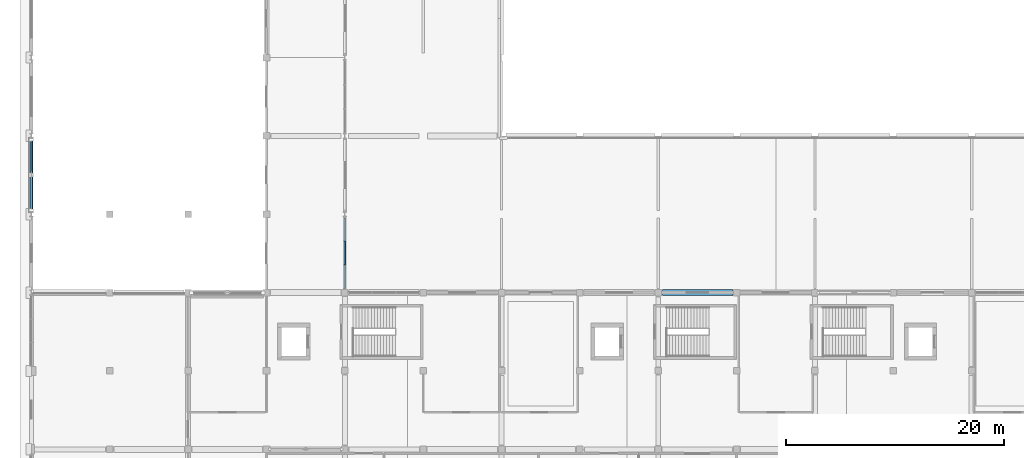
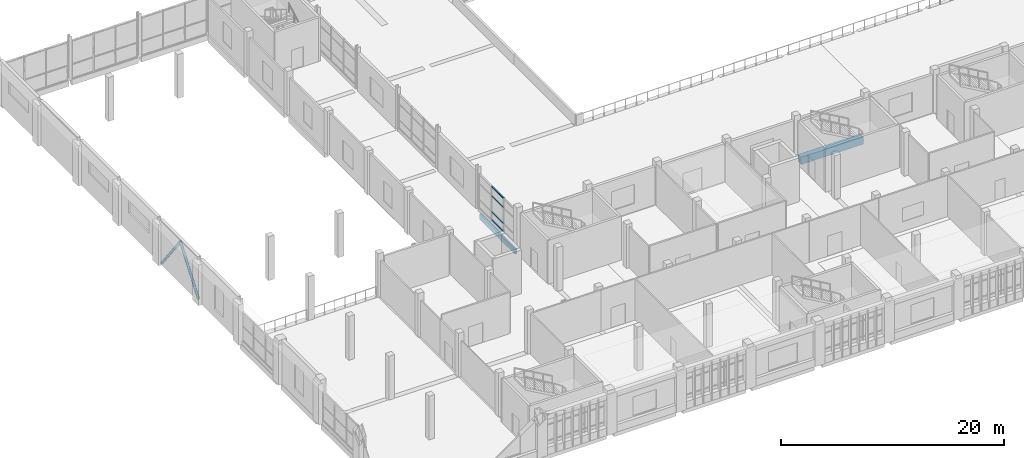
# One storey, part 23 of 82: 6 members, 2 beams, 1 element without a shape of its own.
"""IFC4 building model written with IfcOpenShell, lengths in metres."""

import ifcopenshell
import ifcopenshell.guid

model = None  # the IFC model being written
_history = None  # IfcOwnerHistory: only IFC2X3 demands one
_inside = {}  # id of a spatial element -> (the spatial element, [elements in it])
_under = {}  # id of a project, library or spatial element -> (it, [spatial elements below it])
_declared = {}  # id of a project -> (the project, [libraries it declares])
_typed = {}  # id of a type object -> (the type object, [elements of that type])
_made_of = {}  # id of a material, layer set ... -> (it, [elements and type objects made of it])


def new_model(schema):
    """Start an empty IFC model of exactly this schema.

    Asked for "IFC4X3", IfcOpenShell would pick the latest addendum, in which some entities
    have other attributes; the version numbers below select the first issue.
    IFC2X3 requires an IfcOwnerHistory on every rooted entity: one is made here for all.
    """
    global model, _history
    if schema == "IFC4X3":
        model = ifcopenshell.file(schema_version=(4, 3, 0, 0))
    else:
        model = ifcopenshell.file(schema=schema)
    _inside.clear()
    _under.clear()
    _declared.clear()
    _typed.clear()
    _made_of.clear()
    _history = None
    if model.schema == "IFC2X3":
        org = make("IfcOrganization", Name="unknown")
        user = make(
            "IfcPersonAndOrganization",
            ThePerson=make("IfcPerson", FamilyName="unknown"),
            TheOrganization=org,
        )
        app = make(
            "IfcApplication",
            ApplicationDeveloper=org,
            Version="unknown",
            ApplicationFullName="unknown",
            ApplicationIdentifier="unknown",
        )
        _history = make(
            "IfcOwnerHistory",
            OwningUser=user,
            OwningApplication=app,
            ChangeAction="ADDED",
            CreationDate=0,
        )
    return model


def make(cls, **values):
    """One entity of the class cls with the attributes given. An attribute that is None is left unset."""
    return model.create_entity(
        cls, **{name: value for name, value in values.items() if value is not None}
    )


def rooted(cls, **values):
    """An entity with a GlobalId (a new one), such as an element, a storey or a relation."""
    return make(cls, GlobalId=ifcopenshell.guid.new(), OwnerHistory=_history, **values)


def si_unit(unit_type, name, prefix=None):
    """IfcSIUnit, for example si_unit("LENGTHUNIT", "METRE", prefix="MILLI")."""
    return make("IfcSIUnit", UnitType=unit_type, Prefix=prefix, Name=name)


def assignment(units):
    """IfcUnitAssignment: the units of a project."""
    return None if units is None else make("IfcUnitAssignment", Units=units)


def point(xyz):
    """IfcCartesianPoint."""
    return None if xyz is None else make("IfcCartesianPoint", Coordinates=xyz)


def direction(xyz):
    """IfcDirection."""
    return None if xyz is None else make("IfcDirection", DirectionRatios=xyz)


def frame(location, z_axis=None, x_axis=None):
    """IfcAxis2Placement3D, a coordinate frame: its origin and axes. An axis left out is left unset."""
    return make(
        "IfcAxis2Placement3D",
        Location=point(location),
        Axis=direction(z_axis),
        RefDirection=direction(x_axis),
    )


def frame_2d(location, x_axis=None):
    """IfcAxis2Placement2D, a coordinate frame in the plane: its origin and x axis."""
    return make(
        "IfcAxis2Placement2D", Location=point(location), RefDirection=direction(x_axis)
    )


def origin():
    """The frame at (0, 0, 0) with its axes left unset."""
    return frame((0.0, 0.0, 0.0))


def origin_2d():
    """The frame at (0, 0) in the plane with its x axis left unset."""
    return frame_2d((0.0, 0.0))


def place(relative_to, where):
    """IfcLocalPlacement: puts the frame where relative to a parent placement (None: the world)."""
    return make(
        "IfcLocalPlacement", PlacementRelTo=relative_to, RelativePlacement=where
    )


def context(
    kind, dimensions, precision=None, world=None, true_north=None, identifier=None
):
    """IfcGeometricRepresentationContext, for example the 3D "Model" context."""
    return make(
        "IfcGeometricRepresentationContext",
        ContextIdentifier=identifier,
        ContextType=kind,
        CoordinateSpaceDimension=dimensions,
        Precision=precision,
        WorldCoordinateSystem=world,
        TrueNorth=true_north,
    )


def subcontext(parent, identifier, kind, view, scale=None):
    """IfcGeometricRepresentationSubContext, for example "Body" below "Model"."""
    return make(
        "IfcGeometricRepresentationSubContext",
        ContextIdentifier=identifier,
        ContextType=kind,
        ParentContext=parent,
        TargetScale=scale,
        TargetView=view,
    )


def project(units=None, contexts=None):
    """IfcProject with its units and contexts."""
    return rooted(
        "IfcProject",
        Name="project",
        RepresentationContexts=contexts,
        UnitsInContext=assignment(units),
    )


def spatial(cls, under=None, at=None, **own):
    """A site, building, storey or space (cls), placed at a placement, below another one or the project."""
    s = rooted(cls, ObjectPlacement=at, **own)
    if under is not None:
        _under.setdefault(under.id(), (under, []))[1].append(s)
    return s


def profile(cls, at=None, kind="AREA", **sizes):
    """A parametric profile (cls). Its sizes go by their IFC names, for example OverallWidth=200.0."""
    return make(cls, ProfileType=kind, Position=at, **sizes)


def rectangle(**sizes):
    """IfcRectangleProfileDef."""
    return profile("IfcRectangleProfileDef", **sizes)


def hollow_circle(**sizes):
    """IfcCircleHollowProfileDef."""
    return profile("IfcCircleHollowProfileDef", **sizes)


def extrude(swept, where, along, depth):
    """IfcExtrudedAreaSolid: the profile swept, set in the frame where, extruded along a direction by depth."""
    return make(
        "IfcExtrudedAreaSolid",
        SweptArea=swept,
        Position=where,
        ExtrudedDirection=direction(along),
        Depth=depth,
    )


def shape(context_of_items, identifier, shape_type, items):
    """IfcShapeRepresentation: the items that make up one representation, for example the "Body"."""
    return make(
        "IfcShapeRepresentation",
        ContextOfItems=context_of_items,
        RepresentationIdentifier=identifier,
        RepresentationType=shape_type,
        Items=items,
    )


def material(Name=None, Category=None):
    """IfcMaterial."""
    return make("IfcMaterial", Name=Name, Category=Category)


def material_profile(
    of_material, cross_section, Name=None, Category=None, Priority=None
):
    """IfcMaterialProfile: a cross section and its material."""
    return make(
        "IfcMaterialProfile",
        Name=Name,
        Material=of_material,
        Profile=cross_section,
        Priority=Priority,
        Category=Category,
    )


def profile_set(profiles, Name=None, composite=None):
    """IfcMaterialProfileSet."""
    return make(
        "IfcMaterialProfileSet",
        Name=Name,
        MaterialProfiles=profiles,
        CompositeProfile=composite,
    )


def made_of(thing, what):
    """Note that an element or type object is made of a material, layer set ...; save() writes the relation."""
    if what is not None:
        _made_of.setdefault(what.id(), (what, []))[1].append(thing)
    return thing


def type_object(cls, material=None, **own):
    """A type object (cls), such as IfcWallType, which elements share."""
    return made_of(rooted(cls, **own), material)


def element(
    cls,
    number,
    at=None,
    inside=None,
    cuts=None,
    type_object=None,
    material=None,
    context=None,
    identifier="Body",
    shape_type=None,
    held_by="IfcProductDefinitionShape",
    body=None,
    shapes=None,
    **own,
):
    """One element of the class cls, such as IfcWall. Its Tag is "e" and its number.

    at: its placement. inside: the storey or other place that contains it. cuts: it is an
    opening in that element (IfcRelVoidsElement). A single representation is given by context,
    identifier, shape_type and body (its items); several are given by shapes. held_by: the class
    of the entity that holds the representations. save() writes the other relations.
    """
    e = rooted(cls, Tag="e%d" % number, ObjectPlacement=at, **own)
    if body is not None:
        shapes = [shape(context, identifier, shape_type, body)]
    if shapes is not None:
        e.Representation = make(held_by, Representations=shapes)
    if inside is not None:
        _inside.setdefault(inside.id(), (inside, []))[1].append(e)
    if cuts is not None:
        rooted(
            "IfcRelVoidsElement", RelatingBuildingElement=cuts, RelatedOpeningElement=e
        )
    if type_object is not None:
        _typed.setdefault(type_object.id(), (type_object, []))[1].append(e)
    return made_of(e, material)


def aggregate(whole, parts):
    """IfcRelAggregates: a whole, such as a stair, and the parts it consists of."""
    return rooted("IfcRelAggregates", RelatingObject=whole, RelatedObjects=parts)


def save(model, path):
    """Write the relations noted so far, then the file.

    IfcRelAggregates (storeys below a building ...), IfcRelContainedInSpatialStructure (elements
    in a storey), IfcRelDefinesByType, IfcRelAssociatesMaterial and IfcRelDeclares: one each for
    every whole, place, type object, material and project.
    """
    for whole, parts in _under.values():
        aggregate(whole, parts)
    for where, things in _inside.values():
        rooted(
            "IfcRelContainedInSpatialStructure",
            RelatedElements=things,
            RelatingStructure=where,
        )
    for kind, things in _typed.values():
        rooted("IfcRelDefinesByType", RelatedObjects=things, RelatingType=kind)
    for what, things in _made_of.values():
        rooted("IfcRelAssociatesMaterial", RelatedObjects=things, RelatingMaterial=what)
    for by, libraries in _declared.values():
        rooted("IfcRelDeclares", RelatingContext=by, RelatedDefinitions=libraries)
    model.write(path)


model = new_model("IFC4")

# Units and contexts
model_context = context("Model", 3, precision=1e-05, world=origin(), true_north=direction((0.0, 1.0)))
body_context = subcontext(model_context, "Body", "Model", "MODEL_VIEW")
ifc_project = project(units=[si_unit("LENGTHUNIT", "METRE"), si_unit("AREAUNIT", "SQUARE_METRE"), si_unit("VOLUMEUNIT", "CUBIC_METRE"), si_unit("PLANEANGLEUNIT", "RADIAN"), si_unit("MASSUNIT", "GRAM", prefix="KILO")], contexts=[model_context])

# Site, building, storey
site_placement = place(None, origin())
site = spatial("IfcSite", under=ifc_project, at=site_placement, CompositionType="ELEMENT")
building_placement = place(site_placement, origin())
building = spatial("IfcBuilding", under=site, at=building_placement, Name="Sardonyx Promenade Sports Hall", CompositionType="ELEMENT")
storey_placement = place(building_placement, frame((0.0, 0.0, 11.199951171875)))
storey = spatial("IfcBuildingStorey", under=building, at=storey_placement, Name="L02", CompositionType="ELEMENT", Elevation=11.199951171875)

# Beams
ifc_material_1 = material(Name="Glulam GL28h", Category="wood")
ifc_material_profile_1 = material_profile(ifc_material_1, rectangle(XDim=0.219970703125, YDim=0.5400390625, at=origin_2d()))
ifc_profile_set_1 = profile_set([ifc_material_profile_1], Name="Glulam GL28h")
beam_type_1 = type_object("IfcBeamType", Name="Bm_Gallery_GL540", PredefinedType="BEAM", material=ifc_profile_set_1)
beam_1_placement = place(storey_placement, frame((28.800048828125, 29.175048828125, -0.510009765625), z_axis=(0.0, 1.0, 0.0), x_axis=(-1.0, 0.0, 0.0)))
element("IfcBeam", 1, at=beam_1_placement, inside=storey, type_object=beam_type_1, Name="Beam GLB2 L02 #583", PredefinedType="BEAM", context=body_context, shape_type="SweptSolid", body=[
    extrude(rectangle(XDim=0.219970703125, YDim=0.5400390625, at=origin_2d()), origin(), (0.0, 0.0, 1.0), 6.425048828125),
])
ifc_material_2 = material(Name="Concrete C40/50", Category="concrete")
ifc_material_profile_2 = material_profile(ifc_material_2, rectangle(XDim=0.550048828125, YDim=0.800048828125, at=origin_2d()))
ifc_profile_set_2 = profile_set([ifc_material_profile_2], Name="Concrete C40/50")
beam_type_2 = type_object("IfcBeamType", Name="Bm_Girder_RC800", PredefinedType="BEAM", material=ifc_profile_set_2)
beam_2_placement = place(storey_placement, frame((58.0, 28.800048828125, -0.39990234375), z_axis=(1.0, 0.0, 0.0), x_axis=(0.0, 1.0, 0.0)))
element("IfcBeam", 2, at=beam_2_placement, inside=storey, type_object=beam_type_2, Name="Beam BG04 L02 #501", PredefinedType="BEAM", context=body_context, shape_type="SweptSolid", body=[
    extrude(rectangle(XDim=0.550048828125, YDim=0.800048828125, at=origin_2d()), origin(), (0.0, 0.0, 1.0), 6.449951171875),
])

# Curtain wall, members
ifc_material_3 = material(Name="Aluminium 6063-T6", Category="aluminium")
curtain_wall_type = type_object("IfcCurtainWallType", Name="CW_South_L02_640", PredefinedType="USERDEFINED", material=ifc_material_3)
curtain_wall_placement = place(storey_placement, origin())
curtain_wall = element("IfcCurtainWall", 3, at=curtain_wall_placement, inside=storey, type_object=curtain_wall_type, Name="Curtain wall CW01 cw:L02:154", ObjectType="CURTAIN WALL", PredefinedType="USERDEFINED")
ifc_material_4 = material(Name="Aluminium 6063-T6", Category="aluminium")
ifc_material_profile_3 = material_profile(ifc_material_4, rectangle(XDim=0.06494140625, YDim=0.139892578125, at=origin_2d()))
ifc_profile_set_3 = profile_set([ifc_material_profile_3], Name="Aluminium 6063-T6")
member_type_1 = type_object("IfcMemberType", Name="CW_Tran_140", PredefinedType="USERDEFINED", material=ifc_profile_set_3)
member_1_placement = place(storey_placement, frame((28.800048828125, 33.50341796875, 0.382568359375), z_axis=(0.0, -1.0, 0.0), x_axis=(0.0, 0.0, 1.0)))
member_1 = element("IfcMember", 4, at=member_1_placement, type_object=member_type_1, Name="Transom CT02 cw:L02:154 #5", ObjectType="TRANSOM", PredefinedType="USERDEFINED", context=body_context, shape_type="SweptSolid", body=[
    extrude(rectangle(XDim=0.06494140625, YDim=0.139892578125, at=origin_2d()), origin(), (0.0, 0.0, 1.0), 2.126708984375),
])
member_2_placement = place(storey_placement, frame((28.800048828125, 33.50341796875, 1.25), z_axis=(0.0, -1.0, 0.0), x_axis=(0.0, 0.0, 1.0)))
member_2 = element("IfcMember", 5, at=member_2_placement, type_object=member_type_1, Name="Transom CT02 cw:L02:154 #6", ObjectType="TRANSOM", PredefinedType="USERDEFINED", context=body_context, shape_type="SweptSolid", body=[
    extrude(rectangle(XDim=0.06494140625, YDim=0.139892578125, at=origin_2d()), origin(), (0.0, 0.0, 1.0), 2.126708984375),
])
member_3_placement = place(storey_placement, frame((28.800048828125, 33.50341796875, 3.0), z_axis=(0.0, -1.0, 0.0), x_axis=(0.0, 0.0, 1.0)))
member_3 = element("IfcMember", 6, at=member_3_placement, type_object=member_type_1, Name="Transom CT02 cw:L02:154 #7", ObjectType="TRANSOM", PredefinedType="USERDEFINED", context=body_context, shape_type="SweptSolid", body=[
    extrude(rectangle(XDim=0.06494140625, YDim=0.139892578125, at=origin_2d()), origin(), (0.0, 0.0, 1.0), 2.126708984375),
])
member_4_placement = place(storey_placement, frame((28.800048828125, 33.50341796875, 4.017578125), z_axis=(0.0, -1.0, 0.0), x_axis=(0.0, 0.0, 1.0)))
member_4 = element("IfcMember", 7, at=member_4_placement, type_object=member_type_1, Name="Transom CT02 cw:L02:154 #8", ObjectType="TRANSOM", PredefinedType="USERDEFINED", context=body_context, shape_type="SweptSolid", body=[
    extrude(rectangle(XDim=0.06494140625, YDim=0.139892578125, at=origin_2d()), origin(), (0.0, 0.0, 1.0), 2.126708984375),
])
aggregate(curtain_wall, [member_1, member_2, member_3, member_4])

# Members
ifc_material_5 = material(Name="Steel S355JR", Category="steel")
ifc_material_profile_4 = material_profile(ifc_material_5, hollow_circle(Radius=0.136474609375, WallThickness=0.012451171875, at=origin_2d()))
ifc_profile_set_4 = profile_set([ifc_material_profile_4], Name="Steel S355JR")
member_type_2 = type_object("IfcMemberType", Name="Mbr_Brace_CHS273_Ext", PredefinedType="BRACE", material=ifc_profile_set_4)
member_5_placement = place(storey_placement, frame((0.0, 36.300048828125, 0.02001953125), z_axis=(0.0, 0.606152648807, 0.795348330195), x_axis=(-1.0, 0.0, 0.0)))
element("IfcMember", 8, at=member_5_placement, inside=storey, type_object=member_type_2, Name="Chevron brace BR01 BF1 L02 leg 1", PredefinedType="BRACE", context=body_context, shape_type="SweptSolid", body=[
    extrude(hollow_circle(Radius=0.136474609375, WallThickness=0.012451171875, at=origin_2d()), origin(), (0.0, 0.0, 1.0), 5.4443359375),
])
member_6_placement = place(storey_placement, frame((0.0, 42.89990234375, 0.02001953125), z_axis=(0.0, -0.606124280453, 0.795369949549), x_axis=(1.0, 0.0, 0.0)))
element("IfcMember", 9, at=member_6_placement, inside=storey, type_object=member_type_2, Name="Chevron brace BR01 BF1 L02 leg 2", PredefinedType="BRACE", context=body_context, shape_type="SweptSolid", body=[
    extrude(hollow_circle(Radius=0.136474609375, WallThickness=0.012451171875, at=origin_2d()), origin(), (0.0, 0.0, 1.0), 5.444091796875),
])

save(model, "model.ifc")
